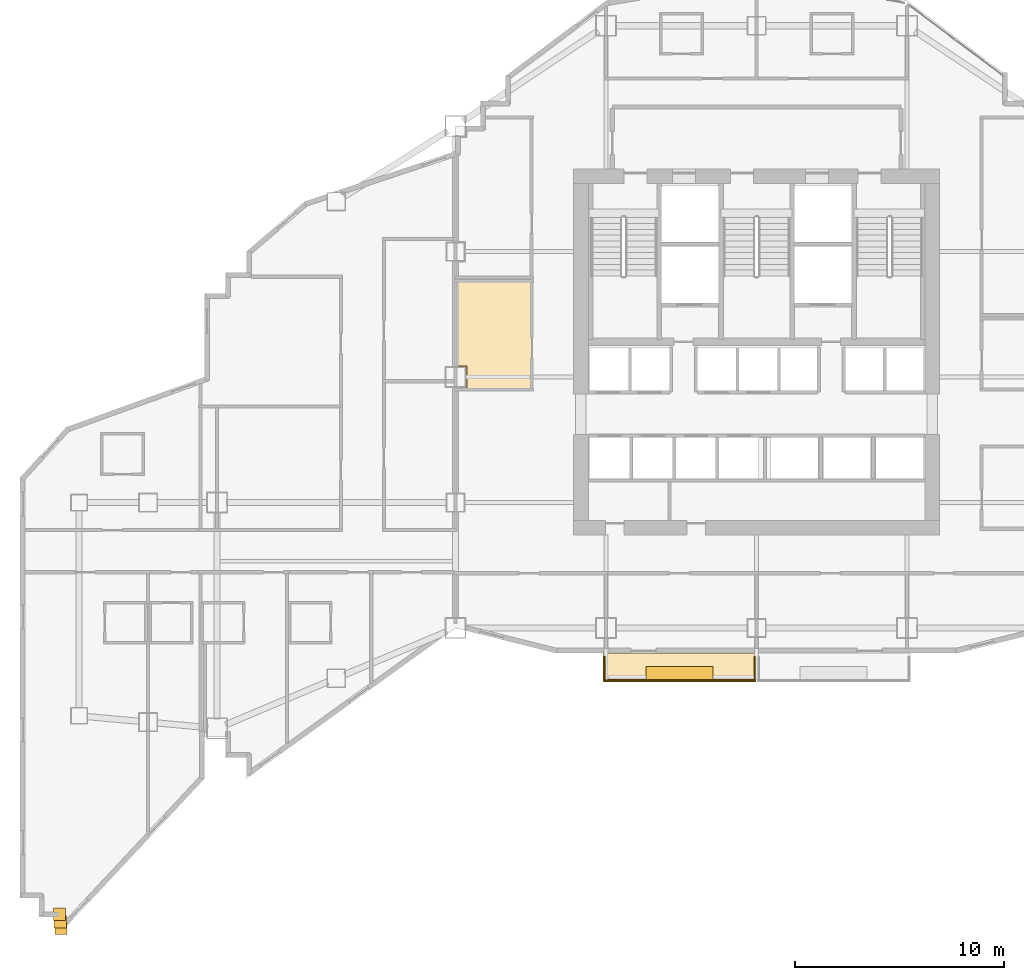
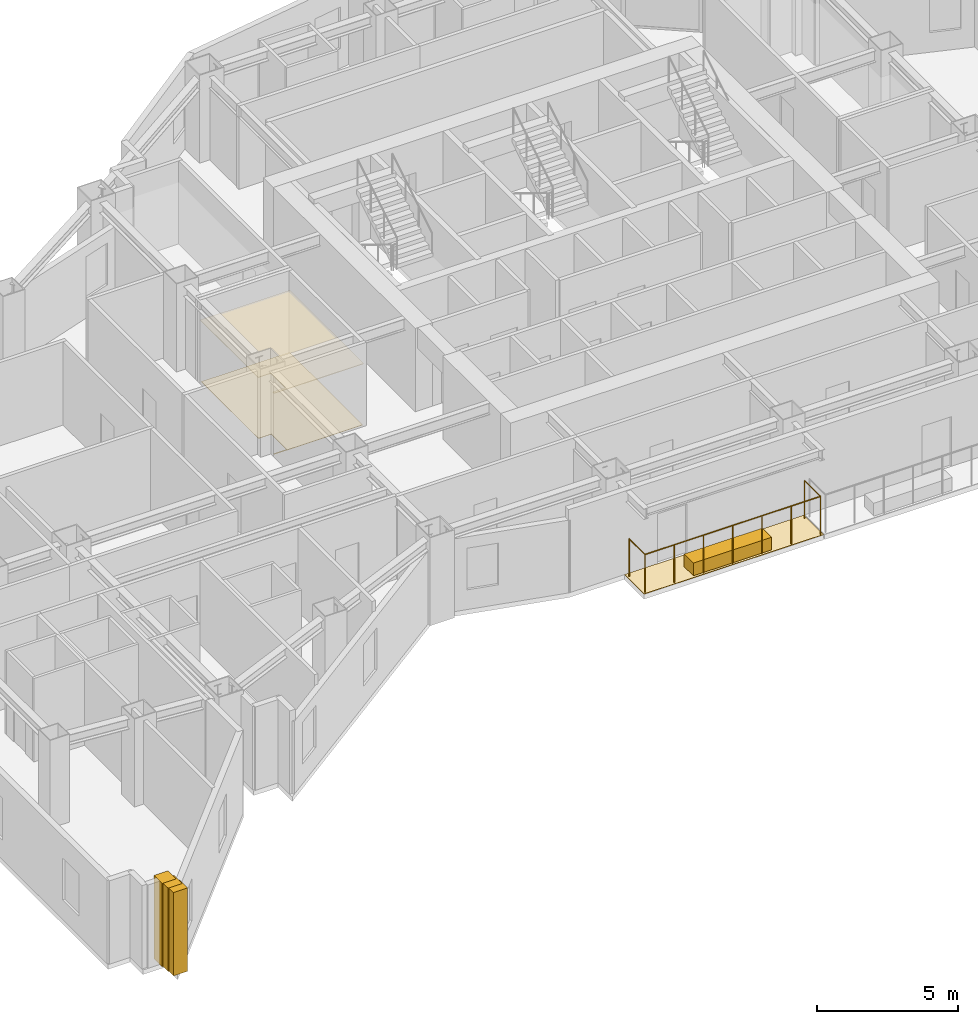
# One storey, part 12 of 14: 7 coverings, 2 railings.
"""IFC4 building model written with IfcOpenShell, lengths in metres."""

from ifc_helpers import new_model, si_unit, direction, frame, origin, origin_2d, place, context, subcontext, project, spatial, polyline, rectangle, circle, outline, extrude, material, layer, layer_set, type_object, element, save


model = new_model("IFC4")

# Units and contexts
model_context = context("Model", 3, precision=1e-05, world=origin(), true_north=direction((0.0, 1.0)))
body_context = subcontext(model_context, "Body", "Model", "MODEL_VIEW")
ifc_project = project(units=[si_unit("LENGTHUNIT", "METRE"), si_unit("AREAUNIT", "SQUARE_METRE"), si_unit("VOLUMEUNIT", "CUBIC_METRE"), si_unit("PLANEANGLEUNIT", "RADIAN"), si_unit("MASSUNIT", "GRAM", prefix="KILO")], contexts=[model_context])

# Site, building, storey
site_placement = place(None, origin())
site = spatial("IfcSite", under=ifc_project, at=site_placement, CompositionType="ELEMENT")
building_placement = place(site_placement, origin())
building = spatial("IfcBuilding", under=site, at=building_placement, Name="Haolan Belvedere Tower", CompositionType="ELEMENT")
storey_placement = place(building_placement, frame((0.0, 0.0, 98.39990234375)))
storey = spatial("IfcBuildingStorey", under=building, at=storey_placement, Name="L24", CompositionType="ELEMENT", Elevation=98.39990234375)

# Coverings
ifc_material_1 = material(Name="Acoustic mineral-fibre suspended ceiling system", Category="masonry")
ifc_layer_1 = layer(ifc_material_1, 0.02490234375, Name="Acoustic mineral-fibre suspended ceiling system")
ifc_layer_set_1 = layer_set([ifc_layer_1], Name="Acoustic mineral-fibre suspended ceiling system")
covering_type_1 = type_object("IfcCoveringType", Name="COV-CEIL-AC25", PredefinedType="CEILING", material=ifc_layer_set_1)
covering_1_placement = place(storey_placement, frame((0.0, 0.0, 2.650146484375)))
element("IfcCovering", 1, at=covering_1_placement, inside=storey, type_object=covering_type_1, Name="L24 suspended acoustic ceiling L24-HSK.1", PredefinedType="CEILING", context=body_context, shape_type="SweptSolid", body=[
    extrude(outline(polyline([(27.652099609375, 32.988037109375), (27.652099609375, 38.2119140625), (23.988037109375, 38.2119140625), (23.988037109375, 34.114990234375), (24.514892578125, 34.114990234375), (24.514892578125, 33.0849609375), (23.988037109375, 33.0849609375), (23.988037109375, 32.988037109375), (27.652099609375, 32.988037109375)])), origin(), (0.0, 0.0, 1.0), 0.02490234375),
])
ifc_material_2 = material(Name="Pale champagne-silver anodised aluminium rainscreen cladding", Category="aluminium")
ifc_layer_2 = layer(ifc_material_2, 0.034912109375, Name="Pale champagne-silver anodised aluminium rainscreen cladding")
ifc_layer_set_2 = layer_set([ifc_layer_2], Name="Pale champagne-silver anodised aluminium rainscreen cladding")
covering_type_2 = type_object("IfcCoveringType", Name="COV-CLAD-35", PredefinedType="CLADDING", material=ifc_layer_set_2)
for number, where, z_axis, x_axis, name in (
    (2, (5.0576171875, 7.910888671875, 0.0), (0.0, 0.0, 1.0), (1.0, 0.0, 0.0), "L24 pale-metal serrated corner cladding trim 1"),
    (3, (5.10009765625, 7.552978515625, 0.0), (0.0, 0.0, 1.0), (1.0, 0.0, 0.0), "L24 pale-metal serrated corner cladding trim 2"),
    (4, (5.12890625, 7.226318359375, 0.0), (0.0, 0.0, 1.0), (1.0, 0.0, 0.0), "L24 pale-metal serrated corner cladding trim 3"),
):
    element("IfcCovering", number, at=place(storey_placement, frame(where, z_axis=z_axis, x_axis=x_axis)), inside=storey, type_object=covering_type_2, Name=name, PredefinedType="CLADDING", context=body_context, shape_type="SweptSolid", body=[
        extrude(rectangle(XDim=0.580078125, YDim=0.580078125, at=origin_2d()), origin(), (0.0, 0.0, 1.0), 3.60009765625),
    ])
ifc_material_3 = material(Name="Honed terrazzo and natural granite stone flooring", Category="masonry")
ifc_layer_3 = layer(ifc_material_3, 0.014892578125, Name="Honed terrazzo and natural granite stone flooring")
ifc_layer_set_3 = layer_set([ifc_layer_3], Name="Honed terrazzo and natural granite stone flooring")
covering_type_3 = type_object("IfcCoveringType", Name="COV-FLR-STN30", PredefinedType="FLOORING", material=ifc_layer_set_3)
covering_2_placement = place(storey_placement, origin())
element("IfcCovering", 5, at=covering_2_placement, inside=storey, type_object=covering_type_3, Name="L24 polished stone floor finish L24-HSK.1", PredefinedType="FLOORING", context=body_context, shape_type="SweptSolid", body=[
    extrude(outline(polyline([(27.626953125, 38.18701171875), (24.012939453125, 38.18701171875), (24.012939453125, 34.139892578125), (24.5400390625, 34.139892578125), (24.5400390625, 33.06005859375), (24.012939453125, 33.06005859375), (24.012939453125, 33.012939453125), (27.626953125, 33.012939453125), (27.626953125, 38.18701171875)])), origin(), (0.0, 0.0, 1.0), 0.01513671875),
])
ifc_material_4 = material(Name="Engineered lightweight planted garden soil substrate", Category="masonry")
ifc_layer_4 = layer(ifc_material_4, 0.550048828125, Name="Engineered lightweight planted garden soil substrate")
ifc_layer_set_4 = layer_set([ifc_layer_4], Name="Engineered lightweight planted garden soil substrate")
covering_type_4 = type_object("IfcCoveringType", Name="COV-PLANT-550", PredefinedType="MEMBRANE", material=ifc_layer_set_4)
covering_3_placement = place(storey_placement, frame((34.715087890625, 19.43994140625, 0.0), z_axis=(0.0, 0.0, 1.0), x_axis=(1.0, 0.0, 0.0)))
element("IfcCovering", 6, at=covering_3_placement, inside=storey, type_object=covering_type_4, Name="L24 structural tree balcony PLANTER box 1", PredefinedType="MEMBRANE", context=body_context, shape_type="SweptSolid", body=[
    extrude(rectangle(XDim=3.199951171875, YDim=0.64990234375, at=origin_2d()), origin(), (0.0, 0.0, 1.0), 0.550048828125),
])
ifc_material_5 = material(Name="Elastomeric waterproof roofing membrane and stone pavers", Category="masonry")
ifc_layer_5 = layer(ifc_material_5, 0.02001953125, Name="Elastomeric waterproof roofing membrane and stone pavers")
ifc_layer_set_5 = layer_set([ifc_layer_5], Name="Elastomeric waterproof roofing membrane and stone pavers")
covering_type_5 = type_object("IfcCoveringType", Name="COV-ROOF-20", PredefinedType="ROOFING", material=ifc_layer_set_5)
covering_4_placement = place(storey_placement, frame((0.0, 0.0, -0.02001953125)))
element("IfcCovering", 7, at=covering_4_placement, inside=storey, type_object=covering_type_5, Name="L24 tree-balcony waterproof membrane 1", PredefinedType="ROOFING", context=body_context, shape_type="SweptSolid", body=[
    extrude(outline(polyline([(31.050048828125, 19.02001953125), (38.3798828125, 19.02001953125), (38.3798828125, 20.39990234375), (31.050048828125, 20.39990234375), (31.050048828125, 19.02001953125)])), origin(), (0.0, 0.0, 1.0), 0.02001953125),
])

# Railings
ifc_material_6 = material(Name="Anodised aluminium and laminated glass balustrade", Category="aluminium")
railing_type = type_object("IfcRailingType", Name="RL-TER-BAL-1150", PredefinedType="BALUSTRADE", material=ifc_material_6)
railing_1_placement = place(storey_placement, frame((31.1298828125, 19.10009765625, 0.0)))
element("IfcRailing", 8, at=railing_1_placement, inside=storey, type_object=railing_type, Name="L24 outdoor perimeter balustrade BAL-L24-1-1", PredefinedType="BALUSTRADE", context=body_context, shape_type="SweptSolid", body=[
    extrude(circle(Radius=0.02392578125, at=origin_2d()), frame((0.0, 0.0, 1.6259765625), z_axis=(0.0, 1.0, 0.0), x_axis=(-1.0, 0.0, 0.0)), (0.0, 0.0, 1.0), 1.119873046875),
    extrude(circle(Radius=0.02099609375, at=origin_2d()), origin(), (0.0, 0.0, 1.0), 1.601806640625),
    extrude(circle(Radius=0.02099609375, at=origin_2d()), frame((0.0, 1.119873046875, 0.0)), (0.0, 0.0, 1.0), 1.601806640625),
])
railing_2_placement = place(storey_placement, frame((38.300048828125, 20.219970703125, 0.0)))
element("IfcRailing", 9, at=railing_2_placement, inside=storey, type_object=railing_type, Name="L24 outdoor perimeter balustrade BAL-L24-1-2", PredefinedType="BALUSTRADE", context=body_context, shape_type="SweptSolid", body=[
    extrude(circle(Radius=0.02392578125, at=origin_2d()), frame((0.0, 0.0, 1.6259765625), z_axis=(0.0, -1.0, 0.0), x_axis=(1.0, 0.0, 0.0)), (0.0, 0.0, 1.0), 1.119873046875),
    extrude(circle(Radius=0.02392578125, at=origin_2d()), frame((0.0, -1.119873046875, 1.6259765625), z_axis=(-1.0, 0.0, 0.0), x_axis=(0.0, -1.0, 0.0)), (0.0, 0.0, 1.0), 7.170166015625),
    extrude(circle(Radius=0.02099609375, at=origin_2d()), origin(), (0.0, 0.0, 1.0), 1.601806640625),
    extrude(circle(Radius=0.02099609375, at=origin_2d()), frame((0.0, -1.119873046875, 0.0)), (0.0, 0.0, 1.0), 1.601806640625),
    extrude(circle(Radius=0.02099609375, at=origin_2d()), frame((-1.195068359375, -1.119873046875, 0.0)), (0.0, 0.0, 1.0), 1.601806640625),
    extrude(circle(Radius=0.02099609375, at=origin_2d()), frame((-2.39013671875, -1.119873046875, 0.0)), (0.0, 0.0, 1.0), 1.601806640625),
    extrude(circle(Radius=0.02099609375, at=origin_2d()), frame((-3.5849609375, -1.119873046875, 0.0)), (0.0, 0.0, 1.0), 1.601806640625),
    extrude(circle(Radius=0.02099609375, at=origin_2d()), frame((-4.780029296875, -1.119873046875, 0.0)), (0.0, 0.0, 1.0), 1.601806640625),
    extrude(circle(Radius=0.02099609375, at=origin_2d()), frame((-5.97509765625, -1.119873046875, 0.0)), (0.0, 0.0, 1.0), 1.601806640625),
    extrude(circle(Radius=0.02099609375, at=origin_2d()), frame((-7.170166015625, -1.119873046875, 0.0)), (0.0, 0.0, 1.0), 1.601806640625),
])

save(model, "model.ifc")
